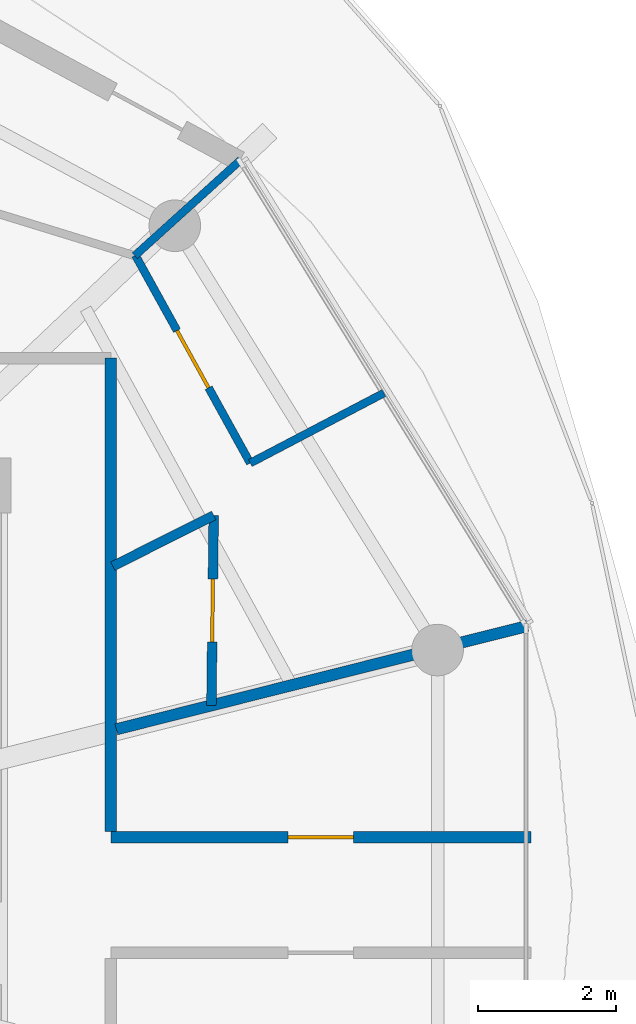
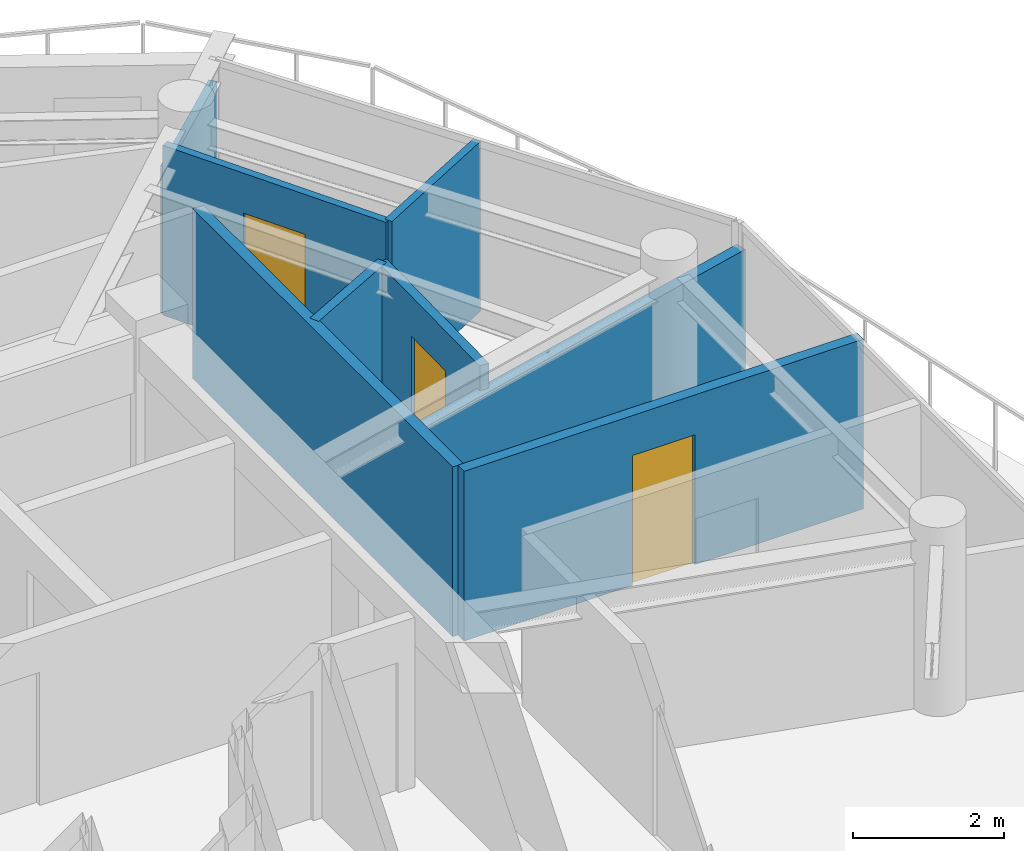
# One storey, part 19 of 23: 8 walls, 3 doors, 3 openings.
"""IFC4 building model written with IfcOpenShell, lengths in metres."""

from ifc_helpers import new_model, si_unit, direction, frame, frame_2d, origin, place, context, subcontext, project, spatial, rectangle, extrude, source, transform, mapped, material, layer, layer_set, type_object, type_shapes, element, fill, save


model = new_model("IFC4")

# Units and contexts
model_context = context("Model", 3, precision=1e-05, world=origin(), true_north=direction((0.0, 1.0)))
body_context = subcontext(model_context, "Body", "Model", "MODEL_VIEW")
ifc_project = project(units=[si_unit("LENGTHUNIT", "METRE"), si_unit("AREAUNIT", "SQUARE_METRE"), si_unit("VOLUMEUNIT", "CUBIC_METRE"), si_unit("PLANEANGLEUNIT", "RADIAN"), si_unit("MASSUNIT", "GRAM", prefix="KILO")], contexts=[model_context])

# Site, building, storey
site_placement = place(None, origin())
site = spatial("IfcSite", under=ifc_project, at=site_placement, CompositionType="ELEMENT")
building_placement = place(site_placement, origin())
building = spatial("IfcBuilding", under=site, at=building_placement, Name="Norrkilde Senior Care Towers", CompositionType="ELEMENT")
storey_placement = place(building_placement, frame((0.0, 0.0, 220.0)))
storey = spatial("IfcBuildingStorey", under=building, at=storey_placement, Name="L68", CompositionType="ELEMENT", Elevation=220.0)

# Walls
ifc_material_1 = material(Name="Gypsum Acoustic Board")
ifc_layer_1 = layer(ifc_material_1, 0.1650390625)
ifc_layer_set_1 = layer_set([ifc_layer_1], Name="Gypsum Acoustic Board")
wall_type_1 = type_object("IfcWallType", Name="Corridor Rated Partition 165", PredefinedType="PARTITIONING", material=ifc_layer_set_1)
shared_shape_1 = source(origin(), body_context, "Body", "SweptSolid", [
    extrude(rectangle(XDim=6.880126953125, YDim=0.1650390625, at=frame_2d((3.43994140625, 0.0))), origin(), (0.0, 0.0, 1.0), 2.7451171875),
])
wall_1_placement = place(storey_placement, frame((37.5, 7.800048828125, 0.0), z_axis=(0.0, 0.0, 1.0), x_axis=(0.0, -1.0, 0.0)))
element("IfcWall", 1, at=wall_1_placement, inside=storey, type_object=wall_type_1, Name="WL-INT-L68-E-CRW-E-0", PredefinedType="PARTITIONING", context=body_context, shape_type="MappedRepresentation", body=[
    mapped(shared_shape_1, transform((0.0, 0.0, 0.0), x_axis=(1.0, 0.0, 0.0), y_axis=(0.0, 1.0, 0.0), z_axis=(0.0, 0.0, 1.0), scale=1.0)),
])
shared_shape_2 = source(origin(), body_context, "Body", "SweptSolid", [
    extrude(rectangle(XDim=6.1572265625, YDim=0.1650390625, at=frame_2d((3.07861328125, 0.0))), origin(), (0.0, 0.0, 1.0), 2.344970703125),
])
wall_2_placement = place(storey_placement, frame((37.580078125, 2.407470703125, 0.0), z_axis=(0.0, 0.0, 1.0), x_axis=(0.969840867184, 0.243738984038, 0.0)))
element("IfcWall", 2, at=wall_2_placement, inside=storey, type_object=wall_type_1, Name="WL-INT-L68-E-DEM-00-0", PredefinedType="PARTITIONING", context=body_context, shape_type="MappedRepresentation", body=[
    mapped(shared_shape_2, transform((0.0, 0.0, 0.0), x_axis=(1.0, 0.0, 0.0), y_axis=(0.0, 1.0, 0.0), z_axis=(0.0, 0.0, 1.0), scale=1.0)),
])

# Wall, opening, door
shared_shape_3 = source(origin(), body_context, "Body", "SweptSolid", [
    extrude(rectangle(XDim=6.101318359375, YDim=0.1650390625, at=frame_2d((3.05078125, 0.0))), origin(), (0.0, 0.0, 1.0), 2.7451171875),
])
type_shapes(wall_type_1, [shared_shape_1, shared_shape_2, shared_shape_3])
wall_3_placement = place(storey_placement, frame((37.5, 0.840087890625, 0.0), z_axis=(0.0, 0.0, 1.0), x_axis=(1.0, 0.0, 0.0)))
wall_3 = element("IfcWall", 3, at=wall_3_placement, inside=storey, type_object=wall_type_1, Name="WL-INT-L68-E-SPK-E1-0", PredefinedType="PARTITIONING", context=body_context, shape_type="MappedRepresentation", body=[
    mapped(shared_shape_3, transform((0.0, 0.0, 0.0), x_axis=(1.0, 0.0, 0.0), y_axis=(0.0, 1.0, 0.0), z_axis=(0.0, 0.0, 1.0), scale=1.0)),
])
opening_1_placement = place(wall_3_placement, frame((2.57568359375, 0.0, 0.0)))
opening_1 = element("IfcOpeningElement", 4, at=opening_1_placement, cuts=wall_3, Name="Opening D-07", PredefinedType="OPENING", context=body_context, shape_type="SweptSolid", body=[
    extrude(rectangle(XDim=0.949951171875, YDim=2.10009765625, at=frame_2d((0.47509765625, 1.050048828125))), frame((0.0, 0.092529296875, 0.0), z_axis=(0.0, -1.0, 0.0), x_axis=(1.0, 0.0, 0.0)), (0.0, 0.0, 1.0), 0.18505859375),
])
ifc_material_2 = material(Name="Nordic Ash Timber", Category="wood")
door_type_1 = type_object("IfcDoorType", Name="Internal Suite Bedroom Door 950x2100", OperationType="NOTDEFINED", PredefinedType="DOOR", material=ifc_material_2)
shared_shape_4 = source(origin(), body_context, "Body", "SweptSolid", [
    extrude(rectangle(XDim=0.949951171875, YDim=2.10009765625, at=frame_2d((0.47509765625, 1.050048828125))), frame((0.0, 0.02490234375, 0.0), z_axis=(0.0, -1.0, 0.0), x_axis=(1.0, 0.0, 0.0)), (0.0, 0.0, 1.0), 0.050048828125),
])
type_shapes(door_type_1, [shared_shape_4])
door_1_placement = place(opening_1_placement, frame((0.949951171875, 0.0, 0.0), z_axis=(0.0, 0.0, 1.0), x_axis=(-1.0, 0.0, 0.0)))
door_1 = element("IfcDoor", 5, at=door_1_placement, inside=storey, type_object=door_type_1, Name="L68 Sun Reading Lounge 6 Door", OperationType="SINGLE_SWING_LEFT", OverallHeight=2.10009765625, OverallWidth=0.949951171875, PredefinedType="DOOR", context=body_context, shape_type="MappedRepresentation", body=[
    mapped(shared_shape_4, transform((0.0, 0.0, 0.0), x_axis=(1.0, 0.0, 0.0), y_axis=(0.0, 1.0, 0.0), z_axis=(0.0, 0.0, 1.0), scale=1.0)),
])
fill(opening_1, door_1)

# Wall
ifc_layer_2 = layer(ifc_material_1, 0.139892578125)
ifc_layer_set_2 = layer_set([ifc_layer_2], Name="Gypsum Acoustic Board")
wall_type_2 = type_object("IfcWallType", Name="En-suite Wet Room Wall 140", PredefinedType="PARTITIONING", material=ifc_layer_set_2)
shared_shape_5 = source(origin(), body_context, "Body", "SweptSolid", [
    extrude(rectangle(XDim=1.638427734375, YDim=0.139892578125, at=frame_2d((0.8193359375, 0.0))), origin(), (0.0, 0.0, 1.0), 2.7451171875),
])
wall_4_placement = place(storey_placement, frame((37.530029296875, 4.7783203125, 0.0), z_axis=(0.0, 0.0, 1.0), x_axis=(0.893919977945, 0.448226586707, 0.0)))
element("IfcWall", 6, at=wall_4_placement, inside=storey, type_object=wall_type_2, Name="WL-INT-L68-E-UBTS-00", PredefinedType="PARTITIONING", context=body_context, shape_type="MappedRepresentation", body=[
    mapped(shared_shape_5, transform((0.0, 0.0, 0.0), x_axis=(1.0, 0.0, 0.0), y_axis=(0.0, 1.0, 0.0), z_axis=(0.0, 0.0, 1.0), scale=1.0)),
])

# Wall, opening, door
shared_shape_6 = source(origin(), body_context, "Body", "SweptSolid", [
    extrude(rectangle(XDim=2.7587890625, YDim=0.139892578125, at=frame_2d((1.37939453125, 0.0))), origin(), (0.0, 0.0, 1.0), 2.7451171875),
])
type_shapes(wall_type_2, [shared_shape_5, shared_shape_6])
wall_5_placement = place(storey_placement, frame((38.99462890625, 5.5126953125, 0.0), z_axis=(0.0, 0.0, 1.0), x_axis=(-0.01194710728, -0.999928630767, 0.0)))
wall_5 = element("IfcWall", 7, at=wall_5_placement, inside=storey, type_object=wall_type_2, Name="WL-INT-L68-E-UBTF-00", PredefinedType="PARTITIONING", context=body_context, shape_type="MappedRepresentation", body=[
    mapped(shared_shape_6, transform((0.0, 0.0, 0.0), x_axis=(1.0, 0.0, 0.0), y_axis=(0.0, 1.0, 0.0), z_axis=(0.0, 0.0, 1.0), scale=1.0)),
])
opening_2_placement = place(wall_5_placement, frame((0.91943359375, 0.0, 0.0)))
opening_2 = element("IfcOpeningElement", 8, at=opening_2_placement, cuts=wall_5, Name="Opening D-08", PredefinedType="OPENING", context=body_context, shape_type="SweptSolid", body=[
    extrude(rectangle(XDim=0.919921875, YDim=2.10009765625, at=frame_2d((0.4599609375, 1.050048828125))), frame((0.0, 0.079833984375, 0.0), z_axis=(0.0, -1.0, 0.0), x_axis=(1.0, 0.0, 0.0)), (0.0, 0.0, 1.0), 0.159912109375),
])
door_type_2 = type_object("IfcDoorType", Name="Accessible Wet Room Door 920x2100", OperationType="NOTDEFINED", PredefinedType="DOOR", material=ifc_material_2)
shared_shape_7 = source(origin(), body_context, "Body", "SweptSolid", [
    extrude(rectangle(XDim=0.919921875, YDim=2.10009765625, at=frame_2d((0.4599609375, 1.050048828125))), frame((0.0, 0.02490234375, 0.0), z_axis=(0.0, -1.0, 0.0), x_axis=(1.0, 0.0, 0.0)), (0.0, 0.0, 1.0), 0.050048828125),
])
type_shapes(door_type_2, [shared_shape_7])
door_2_placement = place(opening_2_placement, origin())
door_2 = element("IfcDoor", 9, at=door_2_placement, inside=storey, type_object=door_type_2, Name="Apartment 68A Bathroom Door", OperationType="SINGLE_SWING_RIGHT", OverallHeight=2.10009765625, OverallWidth=0.919921875, PredefinedType="DOOR", context=body_context, shape_type="MappedRepresentation", body=[
    mapped(shared_shape_7, transform((0.0, 0.0, 0.0), x_axis=(1.0, 0.0, 0.0), y_axis=(0.0, 1.0, 0.0), z_axis=(0.0, 0.0, 1.0), scale=1.0)),
])
fill(opening_2, door_2)

# Wall
ifc_layer_3 = layer(ifc_material_1, 0.114990234375)
ifc_layer_set_3 = layer_set([ifc_layer_3], Name="Gypsum Acoustic Board")
wall_type_3 = type_object("IfcWallType", Name="Internal Room Partition 115", PredefinedType="PARTITIONING", material=ifc_layer_set_3)
shared_shape_8 = source(origin(), body_context, "Body", "SweptSolid", [
    extrude(rectangle(XDim=2.193115234375, YDim=0.114990234375, at=frame_2d((1.0966796875, 0.0))), origin(), (0.0, 0.0, 1.0), 2.7451171875),
])
wall_6_placement = place(storey_placement, frame((39.525390625, 6.27490234375, 0.0), z_axis=(0.0, 0.0, 1.0), x_axis=(0.885783595046, 0.464098505435, 0.0)))
element("IfcWall", 10, at=wall_6_placement, inside=storey, type_object=wall_type_3, Name="WL-INT-L68-E-UKTS-00", PredefinedType="PARTITIONING", context=body_context, shape_type="MappedRepresentation", body=[
    mapped(shared_shape_8, transform((0.0, 0.0, 0.0), x_axis=(1.0, 0.0, 0.0), y_axis=(0.0, 1.0, 0.0), z_axis=(0.0, 0.0, 1.0), scale=1.0)),
])

# Wall, opening, door
shared_shape_9 = source(origin(), body_context, "Body", "SweptSolid", [
    extrude(rectangle(XDim=3.4501953125, YDim=0.114990234375, at=frame_2d((1.72509765625, 0.0))), origin(), (0.0, 0.0, 1.0), 2.7451171875),
])
wall_7_placement = place(storey_placement, frame((39.525390625, 6.27490234375, 0.0), z_axis=(0.0, 0.0, 1.0), x_axis=(-0.483659007882, 0.875256513312, 0.0)))
wall_7 = element("IfcWall", 11, at=wall_7_placement, inside=storey, type_object=wall_type_3, Name="WL-INT-L68-E-UKTF-00", PredefinedType="PARTITIONING", context=body_context, shape_type="MappedRepresentation", body=[
    mapped(shared_shape_9, transform((0.0, 0.0, 0.0), x_axis=(1.0, 0.0, 0.0), y_axis=(0.0, 1.0, 0.0), z_axis=(0.0, 0.0, 1.0), scale=1.0)),
])
opening_3_placement = place(wall_7_placement, frame((1.25, 0.0, 0.0)))
opening_3 = element("IfcOpeningElement", 12, at=opening_3_placement, cuts=wall_7, Name="Opening D-07", PredefinedType="OPENING", context=body_context, shape_type="SweptSolid", body=[
    extrude(rectangle(XDim=0.949951171875, YDim=2.10009765625, at=frame_2d((0.47509765625, 1.050048828125))), frame((0.0, 0.0673828125, 0.0), z_axis=(0.0, -1.0, 0.0), x_axis=(1.0, 0.0, 0.0)), (0.0, 0.0, 1.0), 0.135009765625),
])
door_3_placement = place(opening_3_placement, frame((0.949951171875, 0.0, 0.0), z_axis=(0.0, 0.0, 1.0), x_axis=(-1.0, 0.0, 0.0)))
door_3 = element("IfcDoor", 13, at=door_3_placement, inside=storey, type_object=door_type_1, Name="Apartment 68A Kitchen Door", OperationType="SINGLE_SWING_LEFT", OverallHeight=2.10009765625, OverallWidth=0.949951171875, PredefinedType="DOOR", context=body_context, shape_type="MappedRepresentation", body=[
    mapped(shared_shape_4, transform((0.0, 0.0, 0.0), x_axis=(1.0, 0.0, 0.0), y_axis=(0.0, 1.0, 0.0), z_axis=(0.0, 0.0, 1.0), scale=1.0)),
])
fill(opening_3, door_3)

# Wall
shared_shape_10 = source(origin(), body_context, "Body", "SweptSolid", [
    extrude(rectangle(XDim=2.071533203125, YDim=0.114990234375, at=frame_2d((1.03564453125, 0.0))), origin(), (0.0, 0.0, 1.0), 2.385009765625),
])
type_shapes(wall_type_3, [shared_shape_8, shared_shape_9, shared_shape_10])
wall_8_placement = place(storey_placement, frame((37.8486328125, 9.287109375, 0.0), z_axis=(0.0, 0.0, 1.0), x_axis=(0.741410125356, 0.671052178314, 0.0)))
element("IfcWall", 14, at=wall_8_placement, inside=storey, type_object=wall_type_3, Name="WL-INT-L68-E-UBR-00-1", PredefinedType="PARTITIONING", context=body_context, shape_type="MappedRepresentation", body=[
    mapped(shared_shape_10, transform((0.0, 0.0, 0.0), x_axis=(1.0, 0.0, 0.0), y_axis=(0.0, 1.0, 0.0), z_axis=(0.0, 0.0, 1.0), scale=1.0)),
])

save(model, "model.ifc")
